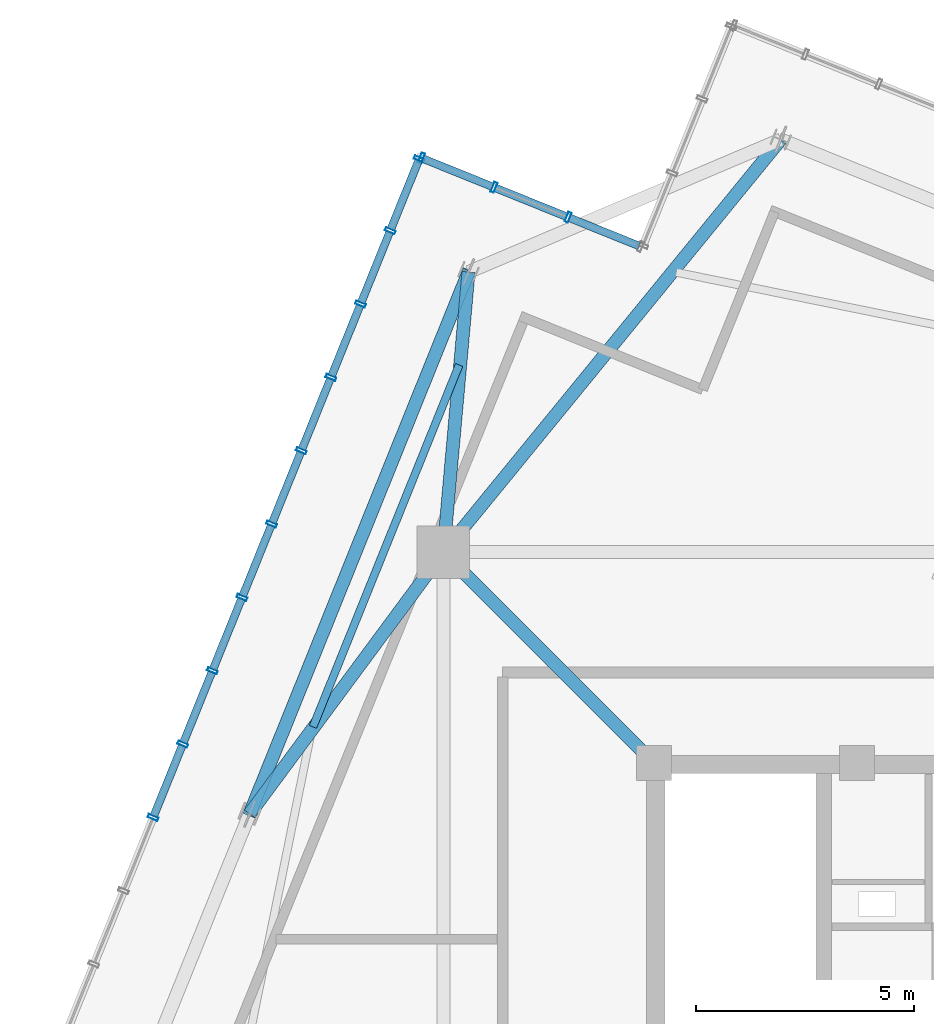
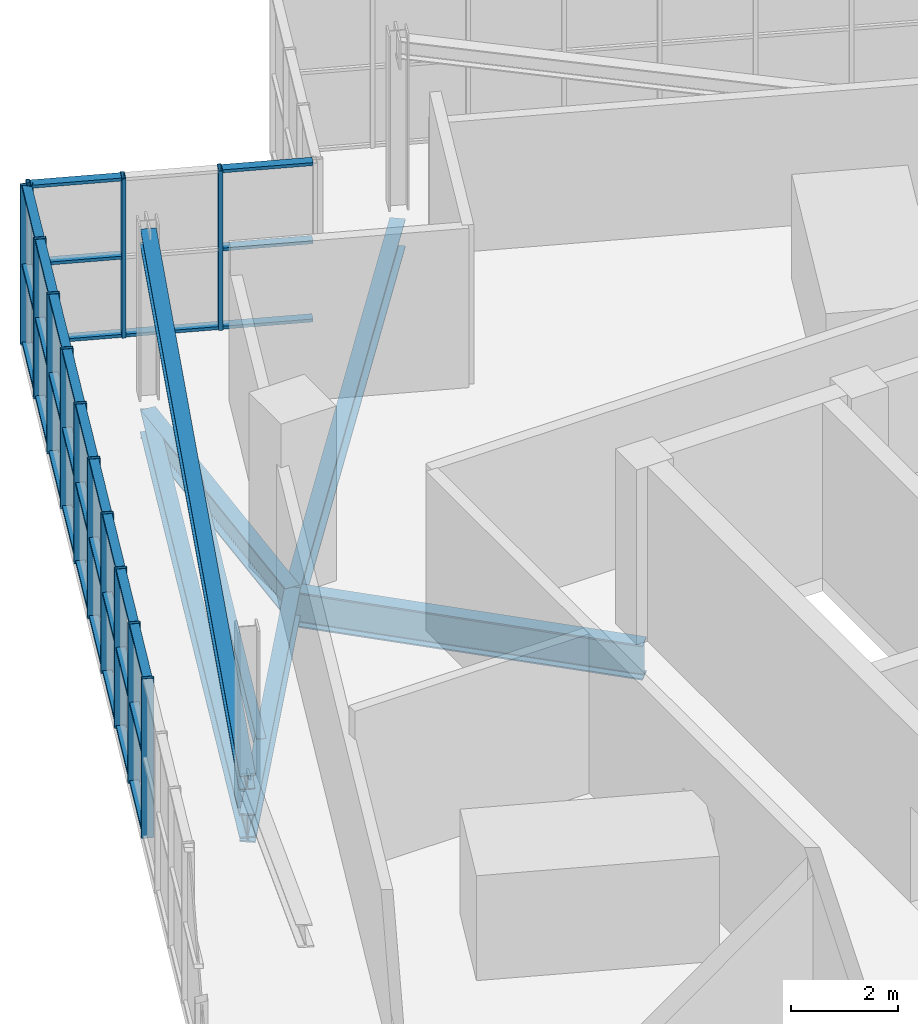
# One storey, part 12 of 26: 48 members, 6 beams, 2 elements without a shape of their own.
"""IFC4 building model written with IfcOpenShell, lengths in metres."""

from ifc_helpers import new_model, si_unit, direction, frame, origin, origin_2d, place, context, subcontext, project, spatial, hollow_rectangle, i_section, extrude, source, transform, mapped, material, layer, layer_set, material_profile, profile_set, type_object, element, aggregate, save


model = new_model("IFC4")

# Units and contexts
model_context = context("Model", 3, precision=1e-05, world=origin(), true_north=direction((0.0, 1.0)))
body_context = subcontext(model_context, "Body", "Model", "MODEL_VIEW")
ifc_project = project(units=[si_unit("LENGTHUNIT", "METRE"), si_unit("AREAUNIT", "SQUARE_METRE"), si_unit("VOLUMEUNIT", "CUBIC_METRE"), si_unit("PLANEANGLEUNIT", "RADIAN"), si_unit("MASSUNIT", "GRAM", prefix="KILO"), si_unit("THERMODYNAMICTEMPERATUREUNIT", "KELVIN")], contexts=[model_context])

# Site, building, storey
site_placement = place(None, origin())
site = spatial("IfcSite", under=ifc_project, at=site_placement, CompositionType="ELEMENT")
building_placement = place(site_placement, origin())
building = spatial("IfcBuilding", under=site, at=building_placement, Name="Kosmvard Interchange Tower", CompositionType="ELEMENT")
storey_placement = place(building_placement, frame((0.0, 0.0, 341.60009765625)))
storey = spatial("IfcBuildingStorey", under=building, at=storey_placement, Name="L84", CompositionType="ELEMENT", Elevation=341.60009765625)

# Beam
ifc_material_1 = material(Name="Steel S355", Category="steel")
ifc_material_profile_1 = material_profile(ifc_material_1, i_section(OverallWidth=0.300048828125, OverallDepth=0.800048828125, WebThickness=0.017578125, FlangeThickness=0.032958984375, FilletRadius=0.027099609375, at=origin_2d()), Name="HEB 800")
ifc_profile_set_1 = profile_set([ifc_material_profile_1], Name="Steel S355")
beam_type_1 = type_object("IfcBeamType", Name="Primary Mega-Frame Girder HEB 800 S355", PredefinedType="BEAM", material=ifc_profile_set_1)
shared_shape_1 = source(origin(), body_context, "Body", "SweptSolid", [
    extrude(i_section(OverallWidth=0.300048828125, OverallDepth=0.800048828125, WebThickness=0.017578125, FlangeThickness=0.032958984375, FilletRadius=0.027099609375, at=origin_2d()), origin(), (0.0, 0.0, 1.0), 6.83203125),
])
beam_1_placement = place(storey_placement, frame((-8.25, 8.25, -0.7001953125), z_axis=(-0.707106781187, 0.707106781187, 0.0), x_axis=(-0.707106781187, -0.707106781187, 0.0)))
element("IfcBeam", 1, at=beam_1_placement, inside=storey, type_object=beam_type_1, Name="L84 Radial Mega-Frame Girder 4", PredefinedType="BEAM", context=body_context, shape_type="MappedRepresentation", body=[
    mapped(shared_shape_1, transform((0.0, 0.0, 0.0), scale=1.0)),
])

# Member
ifc_material_profile_2 = material_profile(ifc_material_1, i_section(OverallWidth=0.300048828125, OverallDepth=0.39990234375, WebThickness=0.013427734375, FlangeThickness=0.02392578125, FilletRadius=0.027099609375, at=origin_2d()), Name="HEB 400")
ifc_profile_set_2 = profile_set([ifc_material_profile_2], Name="Steel S355")
member_type_1 = type_object("IfcMemberType", Name="Lantern Crown Diagrid Brace HEB 400 S355", PredefinedType="BRACE", material=ifc_profile_set_2)
shared_shape_2 = source(origin(), body_context, "Body", "SweptSolid", [
    extrude(i_section(OverallWidth=0.300048828125, OverallDepth=0.39990234375, WebThickness=0.013427734375, FlangeThickness=0.02392578125, FilletRadius=0.027099609375, at=origin_2d()), origin(), (0.0, 0.0, 1.0), 13.78369140625),
])
member_1_placement = place(storey_placement, frame((-17.523681640625, 7.080078125, 0.419921875), z_axis=(0.364162635972, 0.901373372792, 0.234332279859), x_axis=(-0.927189515839, 0.374592580972, 0.0)))
element("IfcMember", 2, at=member_1_placement, inside=storey, type_object=member_type_1, Name="L84 Crown Lantern Diagrid Brace N1", PredefinedType="BRACE", context=body_context, shape_type="MappedRepresentation", body=[
    mapped(shared_shape_2, transform((0.0, 0.0, 0.0), scale=1.0)),
])

# Beams
ifc_material_profile_3 = material_profile(ifc_material_1, i_section(OverallWidth=0.300048828125, OverallDepth=0.550048828125, WebThickness=0.014892578125, FlangeThickness=0.029052734375, FilletRadius=0.027099609375, at=origin_2d()), Name="HEB 550")
ifc_profile_set_3 = profile_set([ifc_material_profile_3], Name="Steel S355")
beam_type_2 = type_object("IfcBeamType", Name="Crown Ring Cap Girder HEB 550 S355", PredefinedType="BEAM", material=ifc_profile_set_3)
shared_shape_3 = source(origin(), body_context, "Body", "SweptSolid", [
    extrude(i_section(OverallWidth=0.300048828125, OverallDepth=0.550048828125, WebThickness=0.014892578125, FlangeThickness=0.029052734375, FilletRadius=0.027099609375, at=origin_2d()), origin(), (0.0, 0.0, 1.0), 13.39990234375),
])
beam_2_placement = place(storey_placement, frame((-12.504150390625, 19.50439453125, -0.5751953125), z_axis=(-0.374592580972, -0.927189515839, 0.0), x_axis=(0.927189515839, -0.374592580972, 0.0)))
element("IfcBeam", 3, at=beam_2_placement, inside=storey, type_object=beam_type_2, Name="BM-L84-PR07", PredefinedType="BEAM", context=body_context, shape_type="MappedRepresentation", body=[
    mapped(shared_shape_3, transform((0.0, 0.0, 0.0), scale=1.0)),
])
ifc_material_profile_4 = material_profile(ifc_material_1, i_section(OverallWidth=0.300048828125, OverallDepth=0.64990234375, WebThickness=0.01611328125, FlangeThickness=0.031005859375, FilletRadius=0.027099609375, at=origin_2d()), Name="HEB 650")
ifc_profile_set_4 = profile_set([ifc_material_profile_4], Name="Steel S355")
beam_type_3 = type_object("IfcBeamType", Name="Primary Floor Girder HEB 650 S355", PredefinedType="BEAM", material=ifc_profile_set_4)
shared_shape_4 = source(origin(), body_context, "Body", "SweptSolid", [
    extrude(i_section(OverallWidth=0.300048828125, OverallDepth=0.64990234375, WebThickness=0.01611328125, FlangeThickness=0.031005859375, FilletRadius=0.027099609375, at=origin_2d()), origin(), (0.0, 0.0, 1.0), 6.44921875),
])
beam_3_placement = place(storey_placement, frame((-13.0810546875, 13.0810546875, -0.625), z_axis=(0.089453694068, 0.995990982197, 0.0), x_axis=(-0.995990982197, 0.089453694068, 0.0)))
element("IfcBeam", 4, at=beam_3_placement, inside=storey, type_object=beam_type_3, Name="BM-L84-RD07", PredefinedType="BEAM", context=body_context, shape_type="MappedRepresentation", body=[
    mapped(shared_shape_4, transform((0.0, 0.0, 0.0), scale=1.0)),
])
shared_shape_5 = source(origin(), body_context, "Body", "SweptSolid", [
    extrude(i_section(OverallWidth=0.300048828125, OverallDepth=0.64990234375, WebThickness=0.01611328125, FlangeThickness=0.031005859375, FilletRadius=0.027099609375, at=origin_2d()), origin(), (0.0, 0.0, 1.0), 7.466552734375),
])
beam_4_placement = place(storey_placement, frame((-13.0810546875, 13.0810546875, -0.625), z_axis=(-0.595007793491, -0.803719929879, 0.0), x_axis=(0.803719929879, -0.595007793491, 0.0)))
element("IfcBeam", 5, at=beam_4_placement, inside=storey, type_object=beam_type_3, Name="BM-L84-RD08", PredefinedType="BEAM", context=body_context, shape_type="MappedRepresentation", body=[
    mapped(shared_shape_5, transform((0.0, 0.0, 0.0), scale=1.0)),
])
shared_shape_6 = source(origin(), body_context, "Body", "SweptSolid", [
    extrude(i_section(OverallWidth=0.300048828125, OverallDepth=0.64990234375, WebThickness=0.01611328125, FlangeThickness=0.031005859375, FilletRadius=0.027099609375, at=origin_2d()), origin(), (0.0, 0.0, 1.0), 12.22265625),
])
beam_5_placement = place(storey_placement, frame((-13.0810546875, 13.0810546875, -0.625), z_axis=(0.632985408079, 0.774163725034, 0.0), x_axis=(-0.774163725034, 0.632985408079, 0.0)))
element("IfcBeam", 6, at=beam_5_placement, inside=storey, type_object=beam_type_3, Name="BM-L84-RD06", PredefinedType="BEAM", context=body_context, shape_type="MappedRepresentation", body=[
    mapped(shared_shape_6, transform((0.0, 0.0, 0.0), scale=1.0)),
])
ifc_material_profile_5 = material_profile(ifc_material_1, i_section(OverallWidth=0.179931640625, OverallDepth=0.39990234375, WebThickness=0.008544921875, FlangeThickness=0.013427734375, FilletRadius=0.02099609375, at=origin_2d()), Name="IPE 400")
ifc_profile_set_5 = profile_set([ifc_material_profile_5], Name="Steel S355")
beam_type_4 = type_object("IfcBeamType", Name="Upper-Zone Floor Joist IPE 400 S355", PredefinedType="JOIST", material=ifc_profile_set_5)
shared_shape_7 = source(origin(), body_context, "Body", "SweptSolid", [
    extrude(i_section(OverallWidth=0.179931640625, OverallDepth=0.39990234375, WebThickness=0.008544921875, FlangeThickness=0.013427734375, FilletRadius=0.02099609375, at=origin_2d()), origin(), (0.0, 0.0, 1.0), 8.9521484375),
])
beam_6_placement = place(storey_placement, frame((-12.71875, 17.374755859375, -0.5), z_axis=(-0.374581187736, -0.927194118723, 0.0), x_axis=(0.927194118723, -0.374581187736, 0.0)))
element("IfcBeam", 7, at=beam_6_placement, inside=storey, type_object=beam_type_4, Name="BM-L84-FJ05", PredefinedType="JOIST", context=body_context, shape_type="MappedRepresentation", body=[
    mapped(shared_shape_7, transform((0.0, 0.0, 0.0), scale=1.0)),
])

# Curtain wall, members
ifc_material_2 = material(Name="Architectural anodised aluminium", Category="aluminium")
ifc_layer = layer(ifc_material_2, 0.25, Name="Architectural anodised aluminium")
ifc_layer_set = layer_set([ifc_layer], Name="Architectural anodised aluminium")
curtain_wall_type = type_object("IfcCurtainWallType", Name="CW-6 Illuminated Crown Lantern Curtain Wall", PredefinedType="NOTDEFINED", material=ifc_layer_set)
curtain_wall_1_placement = place(storey_placement, origin())
curtain_wall_1 = element("IfcCurtainWall", 8, at=curtain_wall_1_placement, inside=storey, type_object=curtain_wall_type, Name="L84 Crown Lantern Glazing Face 07", PredefinedType="NOTDEFINED")
ifc_material_profile_6 = material_profile(ifc_material_2, hollow_rectangle(XDim=0.179931640625, YDim=0.070068359375, WallThickness=0.0048828125, at=origin_2d()), Name="CWT 180x70x5")
ifc_profile_set_6 = profile_set([ifc_material_profile_6], Name="Architectural anodised aluminium")
member_type_2 = type_object("IfcMemberType", Name="Heavy Lantern CW Transom 180x70 Aluminium", PredefinedType="USERDEFINED", material=ifc_profile_set_6)
shared_shape_8 = source(origin(), body_context, "Body", "SweptSolid", [
    extrude(hollow_rectangle(XDim=0.179931640625, YDim=0.070068359375, WallThickness=0.0048828125, at=origin_2d()), origin(), (0.0, 0.0, 1.0), 1.694091796875),
])
member_2_placement = place(storey_placement, frame((-13.650146484375, 22.059814453125, 0.034912109375), z_axis=(-0.374667946298, -0.927159064032, 0.0), x_axis=(0.927159064032, -0.374667946298, 0.0)))
member_2 = element("IfcMember", 9, at=member_2_placement, type_object=member_type_2, Name="CW-6 transom 1.1", ObjectType="TRANSOM", PredefinedType="USERDEFINED", context=body_context, shape_type="MappedRepresentation", body=[
    mapped(shared_shape_8, transform((0.0, 0.0, 0.0), scale=1.0)),
])
member_3_placement = place(storey_placement, frame((-13.650146484375, 22.059814453125, 1.824951171875), z_axis=(-0.374667946298, -0.927159064032, 0.0), x_axis=(0.927159064032, -0.374667946298, 0.0)))
member_3 = element("IfcMember", 10, at=member_3_placement, type_object=member_type_2, Name="CW-6 transom 1.2", ObjectType="TRANSOM", PredefinedType="USERDEFINED", context=body_context, shape_type="MappedRepresentation", body=[
    mapped(shared_shape_8, transform((0.0, 0.0, 0.0), scale=1.0)),
])
member_4_placement = place(storey_placement, frame((-13.650146484375, 22.059814453125, 3.614990234375), z_axis=(-0.374667946298, -0.927159064032, 0.0), x_axis=(0.927159064032, -0.374667946298, 0.0)))
member_4 = element("IfcMember", 11, at=member_4_placement, type_object=member_type_2, Name="CW-6 transom 1.3", ObjectType="TRANSOM", PredefinedType="USERDEFINED", context=body_context, shape_type="MappedRepresentation", body=[
    mapped(shared_shape_8, transform((0.0, 0.0, 0.0), scale=1.0)),
])
shared_shape_9 = source(origin(), body_context, "Body", "SweptSolid", [
    extrude(hollow_rectangle(XDim=0.179931640625, YDim=0.070068359375, WallThickness=0.0048828125, at=origin_2d()), origin(), (0.0, 0.0, 1.0), 1.734130859375),
])
member_5_placement = place(storey_placement, frame((-14.314697265625, 20.414794921875, 0.034912109375), z_axis=(-0.374616671924, -0.927179782522, 0.0), x_axis=(0.927179782522, -0.374616671924, 0.0)))
member_5 = element("IfcMember", 12, at=member_5_placement, type_object=member_type_2, Name="CW-6 transom 2.1", ObjectType="TRANSOM", PredefinedType="USERDEFINED", context=body_context, shape_type="MappedRepresentation", body=[
    mapped(shared_shape_9, transform((0.0, 0.0, 0.0), scale=1.0)),
])
member_6_placement = place(storey_placement, frame((-14.314697265625, 20.414794921875, 1.824951171875), z_axis=(-0.374616671924, -0.927179782522, 0.0), x_axis=(0.927179782522, -0.374616671924, 0.0)))
member_6 = element("IfcMember", 13, at=member_6_placement, type_object=member_type_2, Name="CW-6 transom 2.2", ObjectType="TRANSOM", PredefinedType="USERDEFINED", context=body_context, shape_type="MappedRepresentation", body=[
    mapped(shared_shape_9, transform((0.0, 0.0, 0.0), scale=1.0)),
])
member_7_placement = place(storey_placement, frame((-14.314697265625, 20.414794921875, 3.614990234375), z_axis=(-0.374616671924, -0.927179782522, 0.0), x_axis=(0.927179782522, -0.374616671924, 0.0)))
member_7 = element("IfcMember", 14, at=member_7_placement, type_object=member_type_2, Name="CW-6 transom 2.3", ObjectType="TRANSOM", PredefinedType="USERDEFINED", context=body_context, shape_type="MappedRepresentation", body=[
    mapped(shared_shape_9, transform((0.0, 0.0, 0.0), scale=1.0)),
])
member_8_placement = place(storey_placement, frame((-14.994384765625, 18.73291015625, 0.034912109375), z_axis=(-0.374616671924, -0.927179782522, 0.0), x_axis=(0.927179782522, -0.374616671924, 0.0)))
member_8 = element("IfcMember", 15, at=member_8_placement, type_object=member_type_2, Name="CW-6 transom 3.1", ObjectType="TRANSOM", PredefinedType="USERDEFINED", context=body_context, shape_type="MappedRepresentation", body=[
    mapped(shared_shape_9, transform((0.0, 0.0, 0.0), scale=1.0)),
])
member_9_placement = place(storey_placement, frame((-14.994384765625, 18.73291015625, 1.824951171875), z_axis=(-0.374616671924, -0.927179782522, 0.0), x_axis=(0.927179782522, -0.374616671924, 0.0)))
member_9 = element("IfcMember", 16, at=member_9_placement, type_object=member_type_2, Name="CW-6 transom 3.2", ObjectType="TRANSOM", PredefinedType="USERDEFINED", context=body_context, shape_type="MappedRepresentation", body=[
    mapped(shared_shape_9, transform((0.0, 0.0, 0.0), scale=1.0)),
])
member_10_placement = place(storey_placement, frame((-14.994384765625, 18.73291015625, 3.614990234375), z_axis=(-0.374616671924, -0.927179782522, 0.0), x_axis=(0.927179782522, -0.374616671924, 0.0)))
member_10 = element("IfcMember", 17, at=member_10_placement, type_object=member_type_2, Name="CW-6 transom 3.3", ObjectType="TRANSOM", PredefinedType="USERDEFINED", context=body_context, shape_type="MappedRepresentation", body=[
    mapped(shared_shape_9, transform((0.0, 0.0, 0.0), scale=1.0)),
])
member_11_placement = place(storey_placement, frame((-15.674072265625, 17.05078125, 0.034912109375), z_axis=(-0.374495638732, -0.927228675447, 0.0), x_axis=(0.927228675447, -0.374495638732, 0.0)))
member_11 = element("IfcMember", 18, at=member_11_placement, type_object=member_type_2, Name="CW-6 transom 4.1", ObjectType="TRANSOM", PredefinedType="USERDEFINED", context=body_context, shape_type="MappedRepresentation", body=[
    mapped(shared_shape_9, transform((0.0, 0.0, 0.0), scale=1.0)),
])
member_12_placement = place(storey_placement, frame((-15.674072265625, 17.05078125, 1.824951171875), z_axis=(-0.374495638732, -0.927228675447, 0.0), x_axis=(0.927228675447, -0.374495638732, 0.0)))
member_12 = element("IfcMember", 19, at=member_12_placement, type_object=member_type_2, Name="CW-6 transom 4.2", ObjectType="TRANSOM", PredefinedType="USERDEFINED", context=body_context, shape_type="MappedRepresentation", body=[
    mapped(shared_shape_9, transform((0.0, 0.0, 0.0), scale=1.0)),
])
member_13_placement = place(storey_placement, frame((-15.674072265625, 17.05078125, 3.614990234375), z_axis=(-0.374495638732, -0.927228675447, 0.0), x_axis=(0.927228675447, -0.374495638732, 0.0)))
member_13 = element("IfcMember", 20, at=member_13_placement, type_object=member_type_2, Name="CW-6 transom 4.3", ObjectType="TRANSOM", PredefinedType="USERDEFINED", context=body_context, shape_type="MappedRepresentation", body=[
    mapped(shared_shape_9, transform((0.0, 0.0, 0.0), scale=1.0)),
])
member_14_placement = place(storey_placement, frame((-16.353515625, 15.368896484375, 0.034912109375), z_axis=(-0.374616671924, -0.927179782522, 0.0), x_axis=(0.927179782522, -0.374616671924, 0.0)))
member_14 = element("IfcMember", 21, at=member_14_placement, type_object=member_type_2, Name="CW-6 transom 5.1", ObjectType="TRANSOM", PredefinedType="USERDEFINED", context=body_context, shape_type="MappedRepresentation", body=[
    mapped(shared_shape_9, transform((0.0, 0.0, 0.0), scale=1.0)),
])
member_15_placement = place(storey_placement, frame((-16.353515625, 15.368896484375, 1.824951171875), z_axis=(-0.374616671924, -0.927179782522, 0.0), x_axis=(0.927179782522, -0.374616671924, 0.0)))
member_15 = element("IfcMember", 22, at=member_15_placement, type_object=member_type_2, Name="CW-6 transom 5.2", ObjectType="TRANSOM", PredefinedType="USERDEFINED", context=body_context, shape_type="MappedRepresentation", body=[
    mapped(shared_shape_9, transform((0.0, 0.0, 0.0), scale=1.0)),
])
member_16_placement = place(storey_placement, frame((-16.353515625, 15.368896484375, 3.614990234375), z_axis=(-0.374616671924, -0.927179782522, 0.0), x_axis=(0.927179782522, -0.374616671924, 0.0)))
member_16 = element("IfcMember", 23, at=member_16_placement, type_object=member_type_2, Name="CW-6 transom 5.3", ObjectType="TRANSOM", PredefinedType="USERDEFINED", context=body_context, shape_type="MappedRepresentation", body=[
    mapped(shared_shape_9, transform((0.0, 0.0, 0.0), scale=1.0)),
])
member_17_placement = place(storey_placement, frame((-17.033203125, 13.686767578125, 0.034912109375), z_axis=(-0.374616671924, -0.927179782522, 0.0), x_axis=(0.927179782522, -0.374616671924, 0.0)))
member_17 = element("IfcMember", 24, at=member_17_placement, type_object=member_type_2, Name="CW-6 transom 6.1", ObjectType="TRANSOM", PredefinedType="USERDEFINED", context=body_context, shape_type="MappedRepresentation", body=[
    mapped(shared_shape_9, transform((0.0, 0.0, 0.0), scale=1.0)),
])
member_18_placement = place(storey_placement, frame((-17.033203125, 13.686767578125, 1.824951171875), z_axis=(-0.374616671924, -0.927179782522, 0.0), x_axis=(0.927179782522, -0.374616671924, 0.0)))
member_18 = element("IfcMember", 25, at=member_18_placement, type_object=member_type_2, Name="CW-6 transom 6.2", ObjectType="TRANSOM", PredefinedType="USERDEFINED", context=body_context, shape_type="MappedRepresentation", body=[
    mapped(shared_shape_9, transform((0.0, 0.0, 0.0), scale=1.0)),
])
member_19_placement = place(storey_placement, frame((-17.033203125, 13.686767578125, 3.614990234375), z_axis=(-0.374616671924, -0.927179782522, 0.0), x_axis=(0.927179782522, -0.374616671924, 0.0)))
member_19 = element("IfcMember", 26, at=member_19_placement, type_object=member_type_2, Name="CW-6 transom 6.3", ObjectType="TRANSOM", PredefinedType="USERDEFINED", context=body_context, shape_type="MappedRepresentation", body=[
    mapped(shared_shape_9, transform((0.0, 0.0, 0.0), scale=1.0)),
])
member_20_placement = place(storey_placement, frame((-18.392333984375, 10.32275390625, 0.034912109375), z_axis=(-0.374616671924, -0.927179782522, 0.0), x_axis=(0.927179782522, -0.374616671924, 0.0)))
member_20 = element("IfcMember", 27, at=member_20_placement, type_object=member_type_2, Name="CW-6 transom 8.1", ObjectType="TRANSOM", PredefinedType="USERDEFINED", context=body_context, shape_type="MappedRepresentation", body=[
    mapped(shared_shape_9, transform((0.0, 0.0, 0.0), scale=1.0)),
])
member_21_placement = place(storey_placement, frame((-18.392333984375, 10.32275390625, 1.824951171875), z_axis=(-0.374616671924, -0.927179782522, 0.0), x_axis=(0.927179782522, -0.374616671924, 0.0)))
member_21 = element("IfcMember", 28, at=member_21_placement, type_object=member_type_2, Name="CW-6 transom 8.2", ObjectType="TRANSOM", PredefinedType="USERDEFINED", context=body_context, shape_type="MappedRepresentation", body=[
    mapped(shared_shape_9, transform((0.0, 0.0, 0.0), scale=1.0)),
])
member_22_placement = place(storey_placement, frame((-18.392333984375, 10.32275390625, 3.614990234375), z_axis=(-0.374616671924, -0.927179782522, 0.0), x_axis=(0.927179782522, -0.374616671924, 0.0)))
member_22 = element("IfcMember", 29, at=member_22_placement, type_object=member_type_2, Name="CW-6 transom 8.3", ObjectType="TRANSOM", PredefinedType="USERDEFINED", context=body_context, shape_type="MappedRepresentation", body=[
    mapped(shared_shape_9, transform((0.0, 0.0, 0.0), scale=1.0)),
])
shared_shape_10 = source(origin(), body_context, "Body", "SweptSolid", [
    extrude(hollow_rectangle(XDim=0.179931640625, YDim=0.070068359375, WallThickness=0.0048828125, at=origin_2d()), origin(), (0.0, 0.0, 1.0), 1.73388671875),
])
member_23_placement = place(storey_placement, frame((-17.712646484375, 12.004638671875, 0.034912109375), z_axis=(-0.374665576032, -0.927160021861, 0.0), x_axis=(0.927160021861, -0.374665576032, 0.0)))
member_23 = element("IfcMember", 30, at=member_23_placement, type_object=member_type_2, Name="CW-6 transom 7.1", ObjectType="TRANSOM", PredefinedType="USERDEFINED", context=body_context, shape_type="MappedRepresentation", body=[
    mapped(shared_shape_10, transform((0.0, 0.0, 0.0), scale=1.0)),
])
member_24_placement = place(storey_placement, frame((-17.712646484375, 12.004638671875, 1.824951171875), z_axis=(-0.374665576032, -0.927160021861, 0.0), x_axis=(0.927160021861, -0.374665576032, 0.0)))
member_24 = element("IfcMember", 31, at=member_24_placement, type_object=member_type_2, Name="CW-6 transom 7.2", ObjectType="TRANSOM", PredefinedType="USERDEFINED", context=body_context, shape_type="MappedRepresentation", body=[
    mapped(shared_shape_10, transform((0.0, 0.0, 0.0), scale=1.0)),
])
member_25_placement = place(storey_placement, frame((-17.712646484375, 12.004638671875, 3.614990234375), z_axis=(-0.374665576032, -0.927160021861, 0.0), x_axis=(0.927160021861, -0.374665576032, 0.0)))
member_25 = element("IfcMember", 32, at=member_25_placement, type_object=member_type_2, Name="CW-6 transom 7.3", ObjectType="TRANSOM", PredefinedType="USERDEFINED", context=body_context, shape_type="MappedRepresentation", body=[
    mapped(shared_shape_10, transform((0.0, 0.0, 0.0), scale=1.0)),
])
member_26_placement = place(storey_placement, frame((-19.07177734375, 8.640625, 0.034912109375), z_axis=(-0.374665576032, -0.927160021861, 0.0), x_axis=(0.927160021861, -0.374665576032, 0.0)))
member_26 = element("IfcMember", 33, at=member_26_placement, type_object=member_type_2, Name="CW-6 transom 9.1", ObjectType="TRANSOM", PredefinedType="USERDEFINED", context=body_context, shape_type="MappedRepresentation", body=[
    mapped(shared_shape_10, transform((0.0, 0.0, 0.0), scale=1.0)),
])
member_27_placement = place(storey_placement, frame((-19.07177734375, 8.640625, 1.824951171875), z_axis=(-0.374665576032, -0.927160021861, 0.0), x_axis=(0.927160021861, -0.374665576032, 0.0)))
member_27 = element("IfcMember", 34, at=member_27_placement, type_object=member_type_2, Name="CW-6 transom 9.2", ObjectType="TRANSOM", PredefinedType="USERDEFINED", context=body_context, shape_type="MappedRepresentation", body=[
    mapped(shared_shape_10, transform((0.0, 0.0, 0.0), scale=1.0)),
])
member_28_placement = place(storey_placement, frame((-19.07177734375, 8.640625, 3.614990234375), z_axis=(-0.374665576032, -0.927160021861, 0.0), x_axis=(0.927160021861, -0.374665576032, 0.0)))
member_28 = element("IfcMember", 35, at=member_28_placement, type_object=member_type_2, Name="CW-6 transom 9.3", ObjectType="TRANSOM", PredefinedType="USERDEFINED", context=body_context, shape_type="MappedRepresentation", body=[
    mapped(shared_shape_10, transform((0.0, 0.0, 0.0), scale=1.0)),
])

curtain_wall_2_placement = place(storey_placement, origin())
curtain_wall_2 = element("IfcCurtainWall", 36, at=curtain_wall_2_placement, inside=storey, type_object=curtain_wall_type, Name="L84 Crown Lantern Glazing Face 06", PredefinedType="NOTDEFINED")
shared_shape_11 = source(origin(), body_context, "Body", "SweptSolid", [
    extrude(hollow_rectangle(XDim=0.179931640625, YDim=0.070068359375, WallThickness=0.0048828125, at=origin_2d()), origin(), (0.0, 0.0, 1.0), 1.71337890625),
])
member_29_placement = place(storey_placement, frame((-8.594970703125, 20.103515625, 0.034912109375), z_axis=(-0.927183787829, 0.374606758599, 0.0), x_axis=(-0.374606758599, -0.927183787829, 0.0)))
member_29 = element("IfcMember", 37, at=member_29_placement, type_object=member_type_2, Name="CW-6 transom 1.1", ObjectType="TRANSOM", PredefinedType="USERDEFINED", context=body_context, shape_type="MappedRepresentation", body=[
    mapped(shared_shape_11, transform((0.0, 0.0, 0.0), scale=1.0)),
])
member_30_placement = place(storey_placement, frame((-8.594970703125, 20.103515625, 1.824951171875), z_axis=(-0.927183787829, 0.374606758599, 0.0), x_axis=(-0.374606758599, -0.927183787829, 0.0)))
member_30 = element("IfcMember", 38, at=member_30_placement, type_object=member_type_2, Name="CW-6 transom 1.2", ObjectType="TRANSOM", PredefinedType="USERDEFINED", context=body_context, shape_type="MappedRepresentation", body=[
    mapped(shared_shape_11, transform((0.0, 0.0, 0.0), scale=1.0)),
])
member_31_placement = place(storey_placement, frame((-8.594970703125, 20.103515625, 3.614990234375), z_axis=(-0.927183787829, 0.374606758599, 0.0), x_axis=(-0.374606758599, -0.927183787829, 0.0)))
member_31 = element("IfcMember", 39, at=member_31_placement, type_object=member_type_2, Name="CW-6 transom 1.3", ObjectType="TRANSOM", PredefinedType="USERDEFINED", context=body_context, shape_type="MappedRepresentation", body=[
    mapped(shared_shape_11, transform((0.0, 0.0, 0.0), scale=1.0)),
])
member_32_placement = place(storey_placement, frame((-11.95751953125, 21.462158203125, 0.034912109375), z_axis=(-0.927183787829, 0.374606758599, 0.0), x_axis=(-0.374606758599, -0.927183787829, 0.0)))
member_32 = element("IfcMember", 40, at=member_32_placement, type_object=member_type_2, Name="CW-6 transom 3.1", ObjectType="TRANSOM", PredefinedType="USERDEFINED", context=body_context, shape_type="MappedRepresentation", body=[
    mapped(shared_shape_11, transform((0.0, 0.0, 0.0), scale=1.0)),
])
member_33_placement = place(storey_placement, frame((-11.95751953125, 21.462158203125, 1.824951171875), z_axis=(-0.927183787829, 0.374606758599, 0.0), x_axis=(-0.374606758599, -0.927183787829, 0.0)))
member_33 = element("IfcMember", 41, at=member_33_placement, type_object=member_type_2, Name="CW-6 transom 3.2", ObjectType="TRANSOM", PredefinedType="USERDEFINED", context=body_context, shape_type="MappedRepresentation", body=[
    mapped(shared_shape_11, transform((0.0, 0.0, 0.0), scale=1.0)),
])
member_34_placement = place(storey_placement, frame((-11.95751953125, 21.462158203125, 3.614990234375), z_axis=(-0.927183787829, 0.374606758599, 0.0), x_axis=(-0.374606758599, -0.927183787829, 0.0)))
member_34 = element("IfcMember", 42, at=member_34_placement, type_object=member_type_2, Name="CW-6 transom 3.3", ObjectType="TRANSOM", PredefinedType="USERDEFINED", context=body_context, shape_type="MappedRepresentation", body=[
    mapped(shared_shape_11, transform((0.0, 0.0, 0.0), scale=1.0)),
])
shared_shape_12 = source(origin(), body_context, "Body", "SweptSolid", [
    extrude(hollow_rectangle(XDim=0.179931640625, YDim=0.070068359375, WallThickness=0.0048828125, at=origin_2d()), origin(), (0.0, 0.0, 1.0), 1.75341796875),
])
member_35_placement = place(storey_placement, frame((-10.257568359375, 20.775390625, 0.034912109375), z_axis=(-0.927203712676, 0.37455743912, 0.0), x_axis=(-0.37455743912, -0.927203712676, 0.0)))
member_35 = element("IfcMember", 43, at=member_35_placement, type_object=member_type_2, Name="CW-6 transom 2.1", ObjectType="TRANSOM", PredefinedType="USERDEFINED", context=body_context, shape_type="MappedRepresentation", body=[
    mapped(shared_shape_12, transform((0.0, 0.0, 0.0), scale=1.0)),
])
ifc_material_profile_7 = material_profile(ifc_material_2, hollow_rectangle(XDim=0.239990234375, YDim=0.080078125, WallThickness=0.006103515625, at=origin_2d()), Name="CWM 240x80x6")
ifc_profile_set_7 = profile_set([ifc_material_profile_7], Name="Architectural anodised aluminium")
member_type_3 = type_object("IfcMemberType", Name="Lantern & Observation CW Mullion 240x80 Aluminium", PredefinedType="MULLION", material=ifc_profile_set_7)
shared_shape_13 = source(origin(), body_context, "Body", "SweptSolid", [
    extrude(hollow_rectangle(XDim=0.239990234375, YDim=0.080078125, WallThickness=0.006103515625, at=origin_2d()), origin(), (0.0, 0.0, 1.0), 3.64990234375),
])
member_36_placement = place(storey_placement, frame((-10.220458984375, 20.760498046875, 0.0), z_axis=(0.0, 0.0, 1.0), x_axis=(-0.374606501678, -0.927183891631, 0.0)))
member_36 = element("IfcMember", 44, at=member_36_placement, type_object=member_type_3, Name="CW-6 mullion 2", PredefinedType="MULLION", context=body_context, shape_type="MappedRepresentation", body=[
    mapped(shared_shape_13, transform((0.0, 0.0, 0.0), scale=1.0)),
])
member_37_placement = place(storey_placement, frame((-11.92041015625, 21.447265625, 0.0), z_axis=(0.0, 0.0, 1.0), x_axis=(-0.374606501678, -0.927183891631, 0.0)))
member_37 = element("IfcMember", 45, at=member_37_placement, type_object=member_type_3, Name="CW-6 mullion 3", PredefinedType="MULLION", context=body_context, shape_type="MappedRepresentation", body=[
    mapped(shared_shape_13, transform((0.0, 0.0, 0.0), scale=1.0)),
])
member_38_placement = place(storey_placement, frame((-13.583251953125, 22.118896484375, 0.0), z_axis=(0.0, 0.0, 1.0), x_axis=(-0.374606501678, -0.927183891631, 0.0)))
member_38 = element("IfcMember", 46, at=member_38_placement, type_object=member_type_3, Name="CW-6 mullion 4", PredefinedType="MULLION", context=body_context, shape_type="MappedRepresentation", body=[
    mapped(shared_shape_13, transform((0.0, 0.0, 0.0), scale=1.0)),
])
aggregate(curtain_wall_2, [member_36, member_37, member_38, member_29, member_30, member_31, member_35, member_32, member_33, member_34])

# Member
member_39_placement = place(storey_placement, frame((-13.63525390625, 22.096923828125, 0.0), z_axis=(0.0, 0.0, 1.0), x_axis=(0.927183858065, -0.374606584758, 0.0)))
member_39 = element("IfcMember", 47, at=member_39_placement, type_object=member_type_3, Name="CW-6 mullion 1", PredefinedType="MULLION", context=body_context, shape_type="MappedRepresentation", body=[
    mapped(shared_shape_13, transform((0.0, 0.0, 0.0), scale=1.0)),
])

member_40_placement = place(storey_placement, frame((-14.2998046875, 20.451904296875, 0.0), z_axis=(0.0, 0.0, 1.0), x_axis=(0.927183858065, -0.374606584758, 0.0)))
member_40 = element("IfcMember", 48, at=member_40_placement, type_object=member_type_3, Name="CW-6 mullion 2", PredefinedType="MULLION", context=body_context, shape_type="MappedRepresentation", body=[
    mapped(shared_shape_13, transform((0.0, 0.0, 0.0), scale=1.0)),
])

member_41_placement = place(storey_placement, frame((-14.9794921875, 18.77001953125, 0.0), z_axis=(0.0, 0.0, 1.0), x_axis=(0.927183858065, -0.374606584758, 0.0)))
member_41 = element("IfcMember", 49, at=member_41_placement, type_object=member_type_3, Name="CW-6 mullion 3", PredefinedType="MULLION", context=body_context, shape_type="MappedRepresentation", body=[
    mapped(shared_shape_13, transform((0.0, 0.0, 0.0), scale=1.0)),
])

member_42_placement = place(storey_placement, frame((-15.658935546875, 17.087890625, 0.0), z_axis=(0.0, 0.0, 1.0), x_axis=(0.927183858065, -0.374606584758, 0.0)))
member_42 = element("IfcMember", 50, at=member_42_placement, type_object=member_type_3, Name="CW-6 mullion 4", PredefinedType="MULLION", context=body_context, shape_type="MappedRepresentation", body=[
    mapped(shared_shape_13, transform((0.0, 0.0, 0.0), scale=1.0)),
])

member_43_placement = place(storey_placement, frame((-16.338623046875, 15.40576171875, 0.0), z_axis=(0.0, 0.0, 1.0), x_axis=(0.927183858065, -0.374606584758, 0.0)))
member_43 = element("IfcMember", 51, at=member_43_placement, type_object=member_type_3, Name="CW-6 mullion 5", PredefinedType="MULLION", context=body_context, shape_type="MappedRepresentation", body=[
    mapped(shared_shape_13, transform((0.0, 0.0, 0.0), scale=1.0)),
])

member_44_placement = place(storey_placement, frame((-17.01806640625, 13.723876953125, 0.0), z_axis=(0.0, 0.0, 1.0), x_axis=(0.927183858065, -0.374606584758, 0.0)))
member_44 = element("IfcMember", 52, at=member_44_placement, type_object=member_type_3, Name="CW-6 mullion 6", PredefinedType="MULLION", context=body_context, shape_type="MappedRepresentation", body=[
    mapped(shared_shape_13, transform((0.0, 0.0, 0.0), scale=1.0)),
])

member_45_placement = place(storey_placement, frame((-17.69775390625, 12.041748046875, 0.0), z_axis=(0.0, 0.0, 1.0), x_axis=(0.927183858065, -0.374606584758, 0.0)))
member_45 = element("IfcMember", 53, at=member_45_placement, type_object=member_type_3, Name="CW-6 mullion 7", PredefinedType="MULLION", context=body_context, shape_type="MappedRepresentation", body=[
    mapped(shared_shape_13, transform((0.0, 0.0, 0.0), scale=1.0)),
])

member_46_placement = place(storey_placement, frame((-18.377197265625, 10.35986328125, 0.0), z_axis=(0.0, 0.0, 1.0), x_axis=(0.927183858065, -0.374606584758, 0.0)))
member_46 = element("IfcMember", 54, at=member_46_placement, type_object=member_type_3, Name="CW-6 mullion 8", PredefinedType="MULLION", context=body_context, shape_type="MappedRepresentation", body=[
    mapped(shared_shape_13, transform((0.0, 0.0, 0.0), scale=1.0)),
])

member_47_placement = place(storey_placement, frame((-19.056884765625, 8.677734375, 0.0), z_axis=(0.0, 0.0, 1.0), x_axis=(0.927183858065, -0.374606584758, 0.0)))
member_47 = element("IfcMember", 55, at=member_47_placement, type_object=member_type_3, Name="CW-6 mullion 9", PredefinedType="MULLION", context=body_context, shape_type="MappedRepresentation", body=[
    mapped(shared_shape_13, transform((0.0, 0.0, 0.0), scale=1.0)),
])

member_48_placement = place(storey_placement, frame((-19.736572265625, 6.995849609375, 0.0), z_axis=(0.0, 0.0, 1.0), x_axis=(0.927183858065, -0.374606584758, 0.0)))
member_48 = element("IfcMember", 56, at=member_48_placement, type_object=member_type_3, Name="CW-6 mullion 10", PredefinedType="MULLION", context=body_context, shape_type="MappedRepresentation", body=[
    mapped(shared_shape_13, transform((0.0, 0.0, 0.0), scale=1.0)),
])

aggregate(curtain_wall_1, [member_39, member_40, member_41, member_42, member_43, member_44, member_45, member_46, member_47, member_48, member_2, member_3, member_4, member_5, member_6, member_7, member_8, member_9, member_10, member_11, member_12, member_13, member_14, member_15, member_16, member_17, member_18, member_19, member_23, member_24, member_25, member_20, member_21, member_22, member_26, member_27, member_28])

save(model, "model.ifc")
